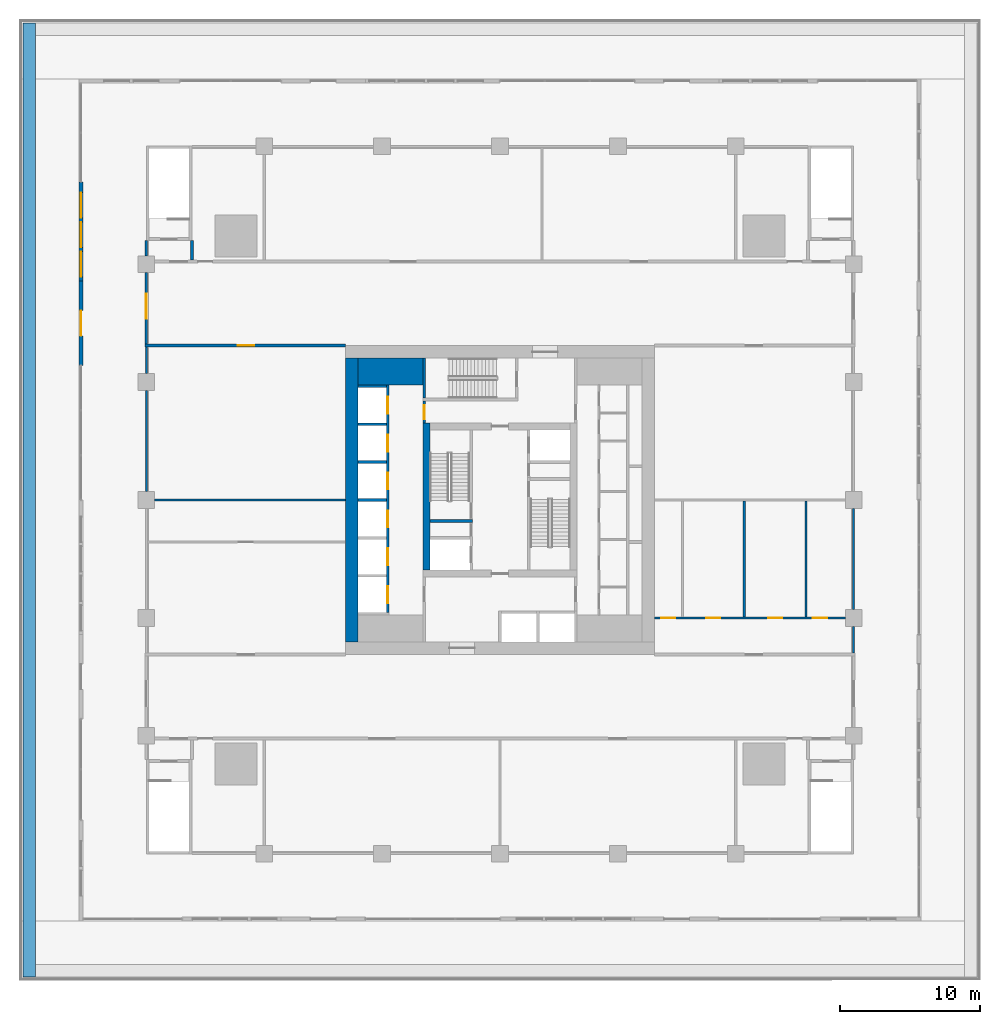
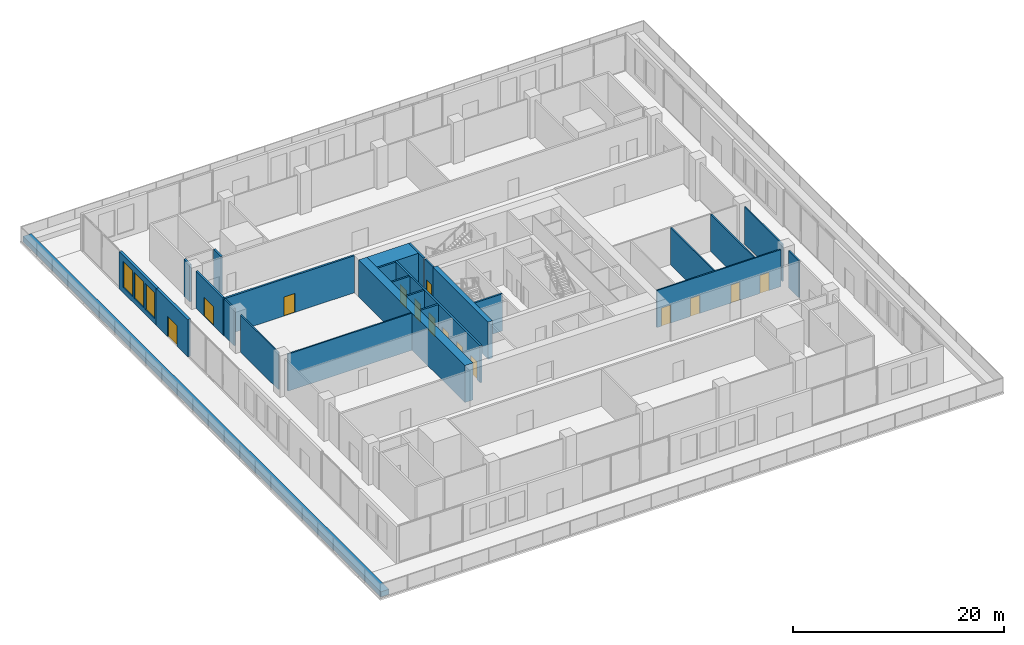
# One storey, part 14 of 22: 26 walls, 14 doors, 3 windows, 17 openings.
"""IFC4 building model written with IfcOpenShell, lengths in metres."""

from ifc_helpers import new_model, si_unit, direction, frame, frame_2d, origin, place, context, subcontext, project, spatial, rectangle, extrude, material, layer, layer_set, type_object, element, fill, save


model = new_model("IFC4")

# Units and contexts
model_context = context("Model", 3, precision=1e-05, world=origin(), true_north=direction((0.0, 1.0)))
body_context = subcontext(model_context, "Body", "Model", "MODEL_VIEW")
ifc_project = project(units=[si_unit("LENGTHUNIT", "METRE"), si_unit("AREAUNIT", "SQUARE_METRE"), si_unit("VOLUMEUNIT", "CUBIC_METRE"), si_unit("PLANEANGLEUNIT", "RADIAN"), si_unit("MASSUNIT", "GRAM", prefix="KILO")], contexts=[model_context])

# Site, building, storey
site_placement = place(None, origin())
site = spatial("IfcSite", under=ifc_project, at=site_placement, CompositionType="ELEMENT")
building_placement = place(site_placement, origin())
building = spatial("IfcBuilding", under=site, at=building_placement, Name="Khepri Terraces", CompositionType="ELEMENT")
storey_placement = place(building_placement, frame((0.0, 0.0, 22.199951171875)))
storey = spatial("IfcBuildingStorey", under=building, at=storey_placement, Name="L04", CompositionType="ELEMENT", Elevation=22.199951171875)

# Walls
ifc_material_1 = material(Name="Concrete C80/95", Category="concrete")
ifc_layer_1 = layer(ifc_material_1, 1.89990234375, Name="Concrete C80/95", Category="concrete")
ifc_layer_set_1 = layer_set([ifc_layer_1], Name="Concrete C80/95")
wall_type_1 = type_object("IfcWallType", Name="Core wall 1900 C80/95", PredefinedType="SHEAR", material=ifc_layer_set_1)
wall_1_placement = place(storey_placement, frame((-10.10009765625, 9.14990234375, 0.0), z_axis=(0.0, 0.0, 1.0), x_axis=(1.0, 0.0, 0.0)))
element("IfcWall", 1, at=wall_1_placement, inside=storey, type_object=wall_type_1, Name="Core wall PR03 L04", PredefinedType="SHEAR", context=body_context, shape_type="SweptSolid", body=[
    extrude(rectangle(XDim=4.60009765625, YDim=1.89990234375, at=frame_2d((2.300048828125, 0.0))), origin(), (0.0, 0.0, 1.0), 4.300048828125),
])
ifc_layer_2 = layer(ifc_material_1, 0.199951171875, Name="Concrete C80/95", Category="concrete")
ifc_layer_set_2 = layer_set([ifc_layer_2], Name="Concrete C80/95")
wall_type_2 = type_object("IfcWallType", Name="Core wall 200 C80/95", PredefinedType="SHEAR", material=ifc_layer_set_2)
wall_2_placement = place(storey_placement, frame((-5.0, -1.5, 0.0), z_axis=(0.0, 0.0, 1.0), x_axis=(1.0, 0.0, 0.0)))
element("IfcWall", 2, at=wall_2_placement, inside=storey, type_object=wall_type_2, Name="Core wall ST02 L04", PredefinedType="SHEAR", context=body_context, shape_type="SweptSolid", body=[
    extrude(rectangle(XDim=3.050048828125, YDim=0.199951171875, at=frame_2d((1.52490234375, 0.0))), origin(), (0.0, 0.0, 1.0), 4.300048828125),
])
wall_3_placement = place(storey_placement, frame((-5.39990234375, 7.25, 0.0), z_axis=(0.0, 0.0, 1.0), x_axis=(0.0, 1.0, 0.0)))
element("IfcWall", 3, at=wall_3_placement, inside=storey, type_object=wall_type_2, Name="Core wall ST06 L04", PredefinedType="SHEAR", context=body_context, shape_type="SweptSolid", body=[
    extrude(rectangle(XDim=2.85009765625, YDim=0.199951171875, at=frame_2d((1.425048828125, 0.0))), origin(), (0.0, 0.0, 1.0), 4.300048828125),
])

# Wall, openings, doors
wall_4_placement = place(storey_placement, frame((-8.0, -8.0, 0.0), z_axis=(0.0, 0.0, 1.0), x_axis=(0.0, 1.0, 0.0)))
wall_4 = element("IfcWall", 4, at=wall_4_placement, inside=storey, type_object=wall_type_2, Name="Core wall SH08 L04", PredefinedType="SHEAR", context=body_context, shape_type="SweptSolid", body=[
    extrude(rectangle(XDim=16.199951171875, YDim=0.199951171875, at=frame_2d((8.10009765625, 0.0))), origin(), (0.0, 0.0, 1.0), 4.300048828125),
])
opening_1_placement = place(wall_4_placement, frame((0.64990234375, 0.0, 0.0)))
opening_1 = element("IfcOpeningElement", 5, at=opening_1_placement, cuts=wall_4, Name="Opening L04-C01", PredefinedType="OPENING", context=body_context, shape_type="SweptSolid", body=[
    extrude(rectangle(XDim=1.199951171875, YDim=2.10009765625, at=frame_2d((0.60009765625, 1.050048828125))), frame((0.0, 0.10986328125, 0.0), z_axis=(0.0, -1.0, 0.0), x_axis=(1.0, 0.0, 0.0)), (0.0, 0.0, 1.0), 0.219970703125),
])
opening_2_placement = place(wall_4_placement, frame((3.35009765625, 0.0, 0.0)))
opening_2 = element("IfcOpeningElement", 6, at=opening_2_placement, cuts=wall_4, Name="Opening L04-C02", PredefinedType="OPENING", context=body_context, shape_type="SweptSolid", body=[
    extrude(rectangle(XDim=1.199951171875, YDim=2.10009765625, at=frame_2d((0.60009765625, 1.050048828125))), frame((0.0, 0.10986328125, 0.0), z_axis=(0.0, -1.0, 0.0), x_axis=(1.0, 0.0, 0.0)), (0.0, 0.0, 1.0), 0.219970703125),
])
opening_3_placement = place(wall_4_placement, frame((6.050048828125, 0.0, 0.0)))
opening_3 = element("IfcOpeningElement", 7, at=opening_3_placement, cuts=wall_4, Name="Opening L04-C03", PredefinedType="OPENING", context=body_context, shape_type="SweptSolid", body=[
    extrude(rectangle(XDim=1.199951171875, YDim=2.10009765625, at=frame_2d((0.60009765625, 1.050048828125))), frame((0.0, 0.10986328125, 0.0), z_axis=(0.0, -1.0, 0.0), x_axis=(1.0, 0.0, 0.0)), (0.0, 0.0, 1.0), 0.219970703125),
])
opening_4_placement = place(wall_4_placement, frame((8.75, 0.0, 0.0)))
opening_4 = element("IfcOpeningElement", 8, at=opening_4_placement, cuts=wall_4, Name="Opening L04-C04", PredefinedType="OPENING", context=body_context, shape_type="SweptSolid", body=[
    extrude(rectangle(XDim=1.199951171875, YDim=2.10009765625, at=frame_2d((0.60009765625, 1.050048828125))), frame((0.0, 0.10986328125, 0.0), z_axis=(0.0, -1.0, 0.0), x_axis=(1.0, 0.0, 0.0)), (0.0, 0.0, 1.0), 0.219970703125),
])
opening_5_placement = place(wall_4_placement, frame((11.449951171875, 0.0, 0.0)))
opening_5 = element("IfcOpeningElement", 9, at=opening_5_placement, cuts=wall_4, Name="Opening L04-C05", PredefinedType="OPENING", context=body_context, shape_type="SweptSolid", body=[
    extrude(rectangle(XDim=1.199951171875, YDim=2.10009765625, at=frame_2d((0.60009765625, 1.050048828125))), frame((0.0, 0.10986328125, 0.0), z_axis=(0.0, -1.0, 0.0), x_axis=(1.0, 0.0, 0.0)), (0.0, 0.0, 1.0), 0.219970703125),
])
opening_6_placement = place(wall_4_placement, frame((14.14990234375, 0.0, 0.0)))
opening_6 = element("IfcOpeningElement", 10, at=opening_6_placement, cuts=wall_4, Name="Opening L04-C06", PredefinedType="OPENING", context=body_context, shape_type="SweptSolid", body=[
    extrude(rectangle(XDim=1.199951171875, YDim=2.10009765625, at=frame_2d((0.60009765625, 1.050048828125))), frame((0.0, 0.10986328125, 0.0), z_axis=(0.0, -1.0, 0.0), x_axis=(1.0, 0.0, 0.0)), (0.0, 0.0, 1.0), 0.219970703125),
])
ifc_material_2 = material(Name="Stainless steel 304", Category="steel")
door_type_1 = type_object("IfcDoorType", Name="DR-CORE-LANDING-1200", OperationType="NOTDEFINED", PredefinedType="DOOR", material=ifc_material_2)
door_1_placement = place(opening_1_placement, origin())
door_1 = element("IfcDoor", 11, at=door_1_placement, inside=storey, type_object=door_type_1, Name="Lift landing door L04-C01", OperationType="SLIDING_TO_LEFT", OverallHeight=2.10009765625, OverallWidth=1.199951171875, PredefinedType="DOOR", context=body_context, shape_type="SweptSolid", body=[
    extrude(rectangle(XDim=1.199951171875, YDim=2.10009765625, at=frame_2d((0.60009765625, 1.050048828125))), frame((0.0, 0.02490234375, 0.0), z_axis=(0.0, -1.0, 0.0), x_axis=(1.0, 0.0, 0.0)), (0.0, 0.0, 1.0), 0.050048828125),
])
fill(opening_1, door_1)
door_2_placement = place(opening_2_placement, origin())
door_2 = element("IfcDoor", 12, at=door_2_placement, inside=storey, type_object=door_type_1, Name="Lift landing door L04-C02", OperationType="SLIDING_TO_LEFT", OverallHeight=2.10009765625, OverallWidth=1.199951171875, PredefinedType="DOOR", context=body_context, shape_type="SweptSolid", body=[
    extrude(rectangle(XDim=1.199951171875, YDim=2.10009765625, at=frame_2d((0.60009765625, 1.050048828125))), frame((0.0, 0.02490234375, 0.0), z_axis=(0.0, -1.0, 0.0), x_axis=(1.0, 0.0, 0.0)), (0.0, 0.0, 1.0), 0.050048828125),
])
fill(opening_2, door_2)
door_3_placement = place(opening_3_placement, origin())
door_3 = element("IfcDoor", 13, at=door_3_placement, inside=storey, type_object=door_type_1, Name="Lift landing door L04-C03", OperationType="SLIDING_TO_LEFT", OverallHeight=2.10009765625, OverallWidth=1.199951171875, PredefinedType="DOOR", context=body_context, shape_type="SweptSolid", body=[
    extrude(rectangle(XDim=1.199951171875, YDim=2.10009765625, at=frame_2d((0.60009765625, 1.050048828125))), frame((0.0, 0.02490234375, 0.0), z_axis=(0.0, -1.0, 0.0), x_axis=(1.0, 0.0, 0.0)), (0.0, 0.0, 1.0), 0.050048828125),
])
fill(opening_3, door_3)
door_4_placement = place(opening_4_placement, origin())
door_4 = element("IfcDoor", 14, at=door_4_placement, inside=storey, type_object=door_type_1, Name="Lift landing door L04-C04", OperationType="SLIDING_TO_LEFT", OverallHeight=2.10009765625, OverallWidth=1.199951171875, PredefinedType="DOOR", context=body_context, shape_type="SweptSolid", body=[
    extrude(rectangle(XDim=1.199951171875, YDim=2.10009765625, at=frame_2d((0.60009765625, 1.050048828125))), frame((0.0, 0.02490234375, 0.0), z_axis=(0.0, -1.0, 0.0), x_axis=(1.0, 0.0, 0.0)), (0.0, 0.0, 1.0), 0.050048828125),
])
fill(opening_4, door_4)
door_5_placement = place(opening_5_placement, origin())
door_5 = element("IfcDoor", 15, at=door_5_placement, inside=storey, type_object=door_type_1, Name="Lift landing door L04-C05", OperationType="SLIDING_TO_LEFT", OverallHeight=2.10009765625, OverallWidth=1.199951171875, PredefinedType="DOOR", context=body_context, shape_type="SweptSolid", body=[
    extrude(rectangle(XDim=1.199951171875, YDim=2.10009765625, at=frame_2d((0.60009765625, 1.050048828125))), frame((0.0, 0.02490234375, 0.0), z_axis=(0.0, -1.0, 0.0), x_axis=(1.0, 0.0, 0.0)), (0.0, 0.0, 1.0), 0.050048828125),
])
fill(opening_5, door_5)
door_6_placement = place(opening_6_placement, origin())
door_6 = element("IfcDoor", 16, at=door_6_placement, inside=storey, type_object=door_type_1, Name="Lift landing door L04-C06", OperationType="SLIDING_TO_LEFT", OverallHeight=2.10009765625, OverallWidth=1.199951171875, PredefinedType="DOOR", context=body_context, shape_type="SweptSolid", body=[
    extrude(rectangle(XDim=1.199951171875, YDim=2.10009765625, at=frame_2d((0.60009765625, 1.050048828125))), frame((0.0, 0.02490234375, 0.0), z_axis=(0.0, -1.0, 0.0), x_axis=(1.0, 0.0, 0.0)), (0.0, 0.0, 1.0), 0.050048828125),
])
fill(opening_6, door_6)

# Walls
for number, where, z_axis, x_axis, name in (
    (17, (-10.10009765625, 0.0, 0.0), (0.0, 0.0, 1.0), (1.0, 0.0, 0.0), "Core wall SH14 L04"),
    (18, (-10.10009765625, 2.699951171875, 0.0), (0.0, 0.0, 1.0), (1.0, 0.0, 0.0), "Core wall SH17 L04"),
    (19, (-10.10009765625, 5.39990234375, 0.0), (0.0, 0.0, 1.0), (1.0, 0.0, 0.0), "Core wall SH19 L04"),
    (20, (-10.10009765625, 8.10009765625, 0.0), (0.0, 0.0, 1.0), (1.0, 0.0, 0.0), "Core wall SH20 L04"),
):
    element("IfcWall", number, at=place(storey_placement, frame(where, z_axis=z_axis, x_axis=x_axis)), inside=storey, type_object=wall_type_2, Name=name, PredefinedType="SHEAR", context=body_context, shape_type="SweptSolid", body=[
        extrude(rectangle(XDim=2.0, YDim=0.199951171875, at=frame_2d((1.0, 0.0))), origin(), (0.0, 0.0, 1.0), 4.300048828125),
    ])
ifc_layer_3 = layer(ifc_material_1, 0.5, Name="Concrete C80/95", Category="concrete")
ifc_layer_set_3 = layer_set([ifc_layer_3], Name="Concrete C80/95")
wall_type_3 = type_object("IfcWallType", Name="Core wall 500 C80/95", PredefinedType="SHEAR", material=ifc_layer_set_3)
wall_5_placement = place(storey_placement, frame((-5.25, -5.0, 0.0), z_axis=(0.0, 0.0, 1.0), x_axis=(0.0, 1.0, 0.0)))
element("IfcWall", 21, at=wall_5_placement, inside=storey, type_object=wall_type_3, Name="Core wall BX02 L04", PredefinedType="SHEAR", context=body_context, shape_type="SweptSolid", body=[
    extrude(rectangle(XDim=10.5, YDim=0.5, at=frame_2d((5.25, 0.0))), origin(), (0.0, 0.0, 1.0), 4.300048828125),
])
ifc_layer_4 = layer(ifc_material_1, 0.89990234375, Name="Concrete C80/95", Category="concrete")
ifc_layer_set_4 = layer_set([ifc_layer_4], Name="Concrete C80/95")
wall_type_4 = type_object("IfcWallType", Name="Core wall 900 C80/95", PredefinedType="SHEAR", material=ifc_layer_set_4)
wall_6_placement = place(storey_placement, frame((-10.550048828125, -10.10009765625, 0.0), z_axis=(0.0, 0.0, 1.0), x_axis=(0.0, 1.0, 0.0)))
element("IfcWall", 22, at=wall_6_placement, inside=storey, type_object=wall_type_4, Name="Core wall OW-W L04", PredefinedType="SHEAR", context=body_context, shape_type="SweptSolid", body=[
    extrude(rectangle(XDim=20.2001953125, YDim=0.89990234375, at=frame_2d((10.10009765625, 0.0))), origin(), (0.0, 0.0, 1.0), 4.300048828125),
])

# Wall, opening, door
ifc_material_3 = material(Name="Fire-rated gypsum board partition")
ifc_layer_5 = layer(ifc_material_3, 0.199951171875, Name="Fire-rated gypsum board partition")
ifc_layer_set_5 = layer_set([ifc_layer_5], Name="Fire-rated gypsum board partition")
wall_type_5 = type_object("IfcWallType", Name="WL-CORE-PART-200", PredefinedType="PARTITIONING", material=ifc_layer_set_5)
wall_7_placement = place(storey_placement, frame((-5.39990234375, 5.5, 0.0), z_axis=(0.0, 0.0, 1.0), x_axis=(0.0, 1.0, 0.0)))
wall_7 = element("IfcWall", 23, at=wall_7_placement, inside=storey, type_object=wall_type_5, Name="Core partition PT08 L04", PredefinedType="PARTITIONING", context=body_context, shape_type="SweptSolid", body=[
    extrude(rectangle(XDim=1.550048828125, YDim=0.199951171875, at=frame_2d((0.77490234375, 0.0))), origin(), (0.0, 0.0, 1.0), 4.300048828125),
])
opening_7_placement = place(wall_7_placement, frame((0.25, 0.0, 0.0)))
opening_7 = element("IfcOpeningElement", 24, at=opening_7_placement, cuts=wall_7, Name="Opening L04-C16", PredefinedType="OPENING", context=body_context, shape_type="SweptSolid", body=[
    extrude(rectangle(XDim=1.0, YDim=2.10009765625, at=frame_2d((0.5, 1.050048828125))), frame((0.0, 0.10986328125, 0.0), z_axis=(0.0, -1.0, 0.0), x_axis=(1.0, 0.0, 0.0)), (0.0, 0.0, 1.0), 0.219970703125),
])
ifc_material_4 = material(Name="Painted steel", Category="steel")
door_type_2 = type_object("IfcDoorType", Name="DR-CORE-LOBBY-1000", OperationType="NOTDEFINED", PredefinedType="DOOR", material=ifc_material_4)
door_7_placement = place(opening_7_placement, frame((1.0, 0.0, 0.0), z_axis=(0.0, 0.0, 1.0), x_axis=(-1.0, 0.0, 0.0)))
door_7 = element("IfcDoor", 25, at=door_7_placement, inside=storey, type_object=door_type_2, Name="Lobby door L04-C16", OperationType="SINGLE_SWING_RIGHT", OverallHeight=2.10009765625, OverallWidth=1.0, PredefinedType="DOOR", context=body_context, shape_type="SweptSolid", body=[
    extrude(rectangle(XDim=1.0, YDim=2.10009765625, at=frame_2d((0.5, 1.050048828125))), frame((0.0, 0.02490234375, 0.0), z_axis=(0.0, -1.0, 0.0), x_axis=(1.0, 0.0, 0.0)), (0.0, 0.0, 1.0), 0.050048828125),
])
fill(opening_7, door_7)

# Wall, openings, windows
ifc_material_5 = material(Name="Precast concrete C50/60 warm stone", Category="masonry")
ifc_layer_6 = layer(ifc_material_5, 0.300048828125, Name="Precast concrete C50/60 warm stone", Category="masonry")
ifc_layer_set_6 = layer_set([ifc_layer_6], Name="Precast concrete C50/60 warm stone")
wall_type_6 = type_object("IfcWallType", Name="WL-EXT-PRECAST-300", PredefinedType="STANDARD", material=ifc_layer_set_6)
wall_8_placement = place(storey_placement, frame((-29.85009765625, 22.64990234375, 0.0), z_axis=(0.0, 0.0, 1.0), x_axis=(0.0, -1.0, 0.0)))
wall_8 = element("IfcWall", 26, at=wall_8_placement, inside=storey, type_object=wall_type_6, Name="External wall L04 W", PredefinedType="STANDARD", context=body_context, shape_type="SweptSolid", body=[
    extrude(rectangle(XDim=7.0498046875, YDim=0.300048828125, at=frame_2d((3.52490234375, 0.0))), origin(), (0.0, 0.0, 1.0), 4.300048828125),
])
opening_8_placement = place(wall_8_placement, frame((0.75, 0.0, 0.60009765625)))
opening_8 = element("IfcOpeningElement", 27, at=opening_8_placement, cuts=wall_8, Name="Opening WP1", PredefinedType="OPENING", context=body_context, shape_type="SweptSolid", body=[
    extrude(rectangle(XDim=1.800048828125, YDim=3.0, at=frame_2d((0.89990234375, 1.5))), frame((0.0, 0.16015625, 0.0), z_axis=(0.0, -1.0, 0.0), x_axis=(1.0, 0.0, 0.0)), (0.0, 0.0, 1.0), 0.320068359375),
])
opening_9_placement = place(wall_8_placement, frame((2.85009765625, 0.0, 0.60009765625)))
opening_9 = element("IfcOpeningElement", 28, at=opening_9_placement, cuts=wall_8, Name="Opening WP1", PredefinedType="OPENING", context=body_context, shape_type="SweptSolid", body=[
    extrude(rectangle(XDim=1.800048828125, YDim=3.0, at=frame_2d((0.89990234375, 1.5))), frame((0.0, 0.16015625, 0.0), z_axis=(0.0, -1.0, 0.0), x_axis=(1.0, 0.0, 0.0)), (0.0, 0.0, 1.0), 0.320068359375),
])
opening_10_placement = place(wall_8_placement, frame((4.949951171875, 0.0, 0.60009765625)))
opening_10 = element("IfcOpeningElement", 29, at=opening_10_placement, cuts=wall_8, Name="Opening WP1", PredefinedType="OPENING", context=body_context, shape_type="SweptSolid", body=[
    extrude(rectangle(XDim=1.800048828125, YDim=3.0, at=frame_2d((0.89990234375, 1.5))), frame((0.0, 0.16015625, 0.0), z_axis=(0.0, -1.0, 0.0), x_axis=(1.0, 0.0, 0.0)), (0.0, 0.0, 1.0), 0.320068359375),
])
ifc_material_6 = material(Name="Clear glass", Category="glass")
window_type = type_object("IfcWindowType", Name="WIN-POD-1800x3000", PartitioningType="SINGLE_PANEL", PredefinedType="WINDOW", material=ifc_material_6)
window_1_placement = place(opening_8_placement, origin())
window_1 = element("IfcWindow", 30, at=window_1_placement, inside=storey, type_object=window_type, Name="Window L04 W", OverallHeight=3.0, OverallWidth=1.800048828125, PartitioningType="SINGLE_PANEL", PredefinedType="WINDOW", context=body_context, shape_type="SweptSolid", body=[
    extrude(rectangle(XDim=1.800048828125, YDim=3.0, at=frame_2d((0.89990234375, 1.5))), frame((0.0, 0.030029296875, 0.0), z_axis=(0.0, -1.0, 0.0), x_axis=(1.0, 0.0, 0.0)), (0.0, 0.0, 1.0), 0.06005859375),
])
fill(opening_8, window_1)
window_2_placement = place(opening_9_placement, origin())
window_2 = element("IfcWindow", 31, at=window_2_placement, inside=storey, type_object=window_type, Name="Window L04 W", OverallHeight=3.0, OverallWidth=1.800048828125, PartitioningType="SINGLE_PANEL", PredefinedType="WINDOW", context=body_context, shape_type="SweptSolid", body=[
    extrude(rectangle(XDim=1.800048828125, YDim=3.0, at=frame_2d((0.89990234375, 1.5))), frame((0.0, 0.030029296875, 0.0), z_axis=(0.0, -1.0, 0.0), x_axis=(1.0, 0.0, 0.0)), (0.0, 0.0, 1.0), 0.06005859375),
])
fill(opening_9, window_2)
window_3_placement = place(opening_10_placement, origin())
window_3 = element("IfcWindow", 32, at=window_3_placement, inside=storey, type_object=window_type, Name="Window L04 W", OverallHeight=3.0, OverallWidth=1.800048828125, PartitioningType="SINGLE_PANEL", PredefinedType="WINDOW", context=body_context, shape_type="SweptSolid", body=[
    extrude(rectangle(XDim=1.800048828125, YDim=3.0, at=frame_2d((0.89990234375, 1.5))), frame((0.0, 0.030029296875, 0.0), z_axis=(0.0, -1.0, 0.0), x_axis=(1.0, 0.0, 0.0)), (0.0, 0.0, 1.0), 0.06005859375),
])
fill(opening_10, window_3)

# Wall, opening, door
wall_9_placement = place(storey_placement, frame((-29.85009765625, 15.60009765625, 0.0), z_axis=(0.0, 0.0, 1.0), x_axis=(0.0, -1.0, 0.0)))
wall_9 = element("IfcWall", 33, at=wall_9_placement, inside=storey, type_object=wall_type_6, Name="External wall L04 W", PredefinedType="STANDARD", context=body_context, shape_type="SweptSolid", body=[
    extrude(rectangle(XDim=6.0, YDim=0.300048828125, at=frame_2d((3.0, 0.0))), origin(), (0.0, 0.0, 1.0), 4.300048828125),
])
opening_11_placement = place(wall_9_placement, frame((2.10009765625, 0.0, 0.0)))
opening_11 = element("IfcOpeningElement", 34, at=opening_11_placement, cuts=wall_9, Name="Opening ED-L04-07", PredefinedType="OPENING", context=body_context, shape_type="SweptSolid", body=[
    extrude(rectangle(XDim=1.800048828125, YDim=2.39990234375, at=frame_2d((0.89990234375, 1.199951171875))), frame((0.0, 0.16015625, 0.0), z_axis=(0.0, -1.0, 0.0), x_axis=(1.0, 0.0, 0.0)), (0.0, 0.0, 1.0), 0.320068359375),
])
ifc_material_7 = material(Name="Anodised aluminium bronze glazed door", Category="aluminium")
door_type_3 = type_object("IfcDoorType", Name="DR-BAL-SLIDE-1800x2400", OperationType="NOTDEFINED", PredefinedType="DOOR", material=ifc_material_7)
door_8_placement = place(opening_11_placement, origin())
door_8 = element("IfcDoor", 35, at=door_8_placement, inside=storey, type_object=door_type_3, Name="Balcony door L04 W", OperationType="SLIDING_TO_RIGHT", OverallHeight=2.39990234375, OverallWidth=1.800048828125, PredefinedType="DOOR", context=body_context, shape_type="SweptSolid", body=[
    extrude(rectangle(XDim=1.800048828125, YDim=2.39990234375, at=frame_2d((0.89990234375, 1.199951171875))), frame((0.0, 0.02490234375, 0.0), z_axis=(0.0, -1.0, 0.0), x_axis=(1.0, 0.0, 0.0)), (0.0, 0.0, 1.0), 0.050048828125),
])
fill(opening_11, door_8)

# Wall
ifc_layer_7 = layer(ifc_material_5, 0.89990234375, Name="Precast concrete C50/60 warm stone", Category="masonry")
ifc_layer_set_7 = layer_set([ifc_layer_7], Name="Precast concrete C50/60 warm stone")
wall_type_7 = type_object("IfcWallType", Name="WL-PLANTER-900", PredefinedType="MOVABLE", material=ifc_layer_set_7)
wall_10_placement = place(storey_placement, frame((-33.550048828125, -34.0, 0.0), z_axis=(0.0, 0.0, 1.0), x_axis=(0.0, 1.0, 0.0)))
element("IfcWall", 36, at=wall_10_placement, inside=storey, type_object=wall_type_7, Name="Planter L04", PredefinedType="MOVABLE", context=body_context, shape_type="SweptSolid", body=[
    extrude(rectangle(XDim=68.0, YDim=0.89990234375, at=frame_2d((34.0, 0.0))), origin(), (0.0, 0.0, 1.0), 0.60009765625),
])

# Wall, openings, doors
ifc_material_8 = material(Name="Gypsum board partition")
ifc_layer_8 = layer(ifc_material_8, 0.14990234375, Name="Gypsum board partition")
ifc_layer_set_8 = layer_set([ifc_layer_8], Name="Gypsum board partition")
wall_type_8 = type_object("IfcWallType", Name="WL-POD-150", PredefinedType="PARTITIONING", material=ifc_layer_set_8)
wall_11_placement = place(storey_placement, frame((11.0, -8.39990234375, 0.0), z_axis=(0.0, 0.0, 1.0), x_axis=(1.0, 0.0, 0.0)))
wall_11 = element("IfcWall", 37, at=wall_11_placement, inside=storey, type_object=wall_type_8, Name="Partition L04-PW010", PredefinedType="PARTITIONING", context=body_context, shape_type="SweptSolid", body=[
    extrude(rectangle(XDim=13.60009765625, YDim=0.14990234375, at=frame_2d((6.800048828125, 0.0))), origin(), (0.0, 0.0, 1.0), 4.300048828125),
])
opening_12_placement = place(wall_11_placement, frame((0.5, 0.0, 0.0)))
opening_12 = element("IfcOpeningElement", 38, at=opening_12_placement, cuts=wall_11, Name="Opening L04-P11", PredefinedType="OPENING", context=body_context, shape_type="SweptSolid", body=[
    extrude(rectangle(XDim=1.0, YDim=2.10009765625, at=frame_2d((0.5, 1.050048828125))), frame((0.0, 0.0849609375, 0.0), z_axis=(0.0, -1.0, 0.0), x_axis=(1.0, 0.0, 0.0)), (0.0, 0.0, 1.0), 0.169921875),
])
opening_13_placement = place(wall_11_placement, frame((3.699951171875, 0.0, 0.0)))
opening_13 = element("IfcOpeningElement", 39, at=opening_13_placement, cuts=wall_11, Name="Opening L04-P12", PredefinedType="OPENING", context=body_context, shape_type="SweptSolid", body=[
    extrude(rectangle(XDim=1.0, YDim=2.10009765625, at=frame_2d((0.5, 1.050048828125))), frame((0.0, 0.0849609375, 0.0), z_axis=(0.0, -1.0, 0.0), x_axis=(1.0, 0.0, 0.0)), (0.0, 0.0, 1.0), 0.169921875),
])
opening_14_placement = place(wall_11_placement, frame((8.10009765625, 0.0, 0.0)))
opening_14 = element("IfcOpeningElement", 40, at=opening_14_placement, cuts=wall_11, Name="Opening L04-P13", PredefinedType="OPENING", context=body_context, shape_type="SweptSolid", body=[
    extrude(rectangle(XDim=1.0, YDim=2.10009765625, at=frame_2d((0.5, 1.050048828125))), frame((0.0, 0.0849609375, 0.0), z_axis=(0.0, -1.0, 0.0), x_axis=(1.0, 0.0, 0.0)), (0.0, 0.0, 1.0), 0.169921875),
])
opening_15_placement = place(wall_11_placement, frame((11.300048828125, 0.0, 0.0)))
opening_15 = element("IfcOpeningElement", 41, at=opening_15_placement, cuts=wall_11, Name="Opening L04-P14", PredefinedType="OPENING", context=body_context, shape_type="SweptSolid", body=[
    extrude(rectangle(XDim=1.0, YDim=2.10009765625, at=frame_2d((0.5, 1.050048828125))), frame((0.0, 0.0849609375, 0.0), z_axis=(0.0, -1.0, 0.0), x_axis=(1.0, 0.0, 0.0)), (0.0, 0.0, 1.0), 0.169921875),
])
ifc_material_9 = material(Name="Timber veneer", Category="wood")
door_type_4 = type_object("IfcDoorType", Name="DR-POD-SINGLE-1000", OperationType="NOTDEFINED", PredefinedType="DOOR", material=ifc_material_9)
door_9_placement = place(opening_12_placement, origin())
door_9 = element("IfcDoor", 42, at=door_9_placement, inside=storey, type_object=door_type_4, Name="Door L04-P11", OperationType="SINGLE_SWING_LEFT", OverallHeight=2.10009765625, OverallWidth=1.0, PredefinedType="DOOR", context=body_context, shape_type="SweptSolid", body=[
    extrude(rectangle(XDim=1.0, YDim=2.10009765625, at=frame_2d((0.5, 1.050048828125))), frame((0.0, 0.02490234375, 0.0), z_axis=(0.0, -1.0, 0.0), x_axis=(1.0, 0.0, 0.0)), (0.0, 0.0, 1.0), 0.050048828125),
])
fill(opening_12, door_9)
door_10_placement = place(opening_13_placement, origin())
door_10 = element("IfcDoor", 43, at=door_10_placement, inside=storey, type_object=door_type_4, Name="Door L04-P12", OperationType="SINGLE_SWING_LEFT", OverallHeight=2.10009765625, OverallWidth=1.0, PredefinedType="DOOR", context=body_context, shape_type="SweptSolid", body=[
    extrude(rectangle(XDim=1.0, YDim=2.10009765625, at=frame_2d((0.5, 1.050048828125))), frame((0.0, 0.02490234375, 0.0), z_axis=(0.0, -1.0, 0.0), x_axis=(1.0, 0.0, 0.0)), (0.0, 0.0, 1.0), 0.050048828125),
])
fill(opening_13, door_10)
door_11_placement = place(opening_14_placement, origin())
door_11 = element("IfcDoor", 44, at=door_11_placement, inside=storey, type_object=door_type_4, Name="Door L04-P13", OperationType="SINGLE_SWING_RIGHT", OverallHeight=2.10009765625, OverallWidth=1.0, PredefinedType="DOOR", context=body_context, shape_type="SweptSolid", body=[
    extrude(rectangle(XDim=1.0, YDim=2.10009765625, at=frame_2d((0.5, 1.050048828125))), frame((0.0, 0.02490234375, 0.0), z_axis=(0.0, -1.0, 0.0), x_axis=(1.0, 0.0, 0.0)), (0.0, 0.0, 1.0), 0.050048828125),
])
fill(opening_14, door_11)
door_12_placement = place(opening_15_placement, origin())
door_12 = element("IfcDoor", 45, at=door_12_placement, inside=storey, type_object=door_type_4, Name="Door L04-P14", OperationType="SINGLE_SWING_RIGHT", OverallHeight=2.10009765625, OverallWidth=1.0, PredefinedType="DOOR", context=body_context, shape_type="SweptSolid", body=[
    extrude(rectangle(XDim=1.0, YDim=2.10009765625, at=frame_2d((0.5, 1.050048828125))), frame((0.0, 0.02490234375, 0.0), z_axis=(0.0, -1.0, 0.0), x_axis=(1.0, 0.0, 0.0)), (0.0, 0.0, 1.0), 0.050048828125),
])
fill(opening_15, door_12)

# Walls
wall_12_placement = place(storey_placement, frame((-24.60009765625, 0.0, 0.0), z_axis=(0.0, 0.0, 1.0), x_axis=(1.0, 0.0, 0.0)))
element("IfcWall", 46, at=wall_12_placement, inside=storey, type_object=wall_type_8, Name="Partition L04-PW012", PredefinedType="PARTITIONING", context=body_context, shape_type="SweptSolid", body=[
    extrude(rectangle(XDim=13.60009765625, YDim=0.14990234375, at=frame_2d((6.800048828125, 0.0))), origin(), (0.0, 0.0, 1.0), 4.300048828125),
])
wall_13_placement = place(storey_placement, frame((-25.199951171875, 0.60009765625, 0.0), z_axis=(0.0, 0.0, 1.0), x_axis=(0.0, 1.0, 0.0)))
element("IfcWall", 47, at=wall_13_placement, inside=storey, type_object=wall_type_8, Name="Partition L04-PW027", PredefinedType="PARTITIONING", context=body_context, shape_type="SweptSolid", body=[
    extrude(rectangle(XDim=7.199951171875, YDim=0.14990234375, at=frame_2d((3.60009765625, 0.0))), origin(), (0.0, 0.0, 1.0), 4.300048828125),
])
wall_14_placement = place(storey_placement, frame((-25.199951171875, 9.0, 0.0), z_axis=(0.0, 0.0, 1.0), x_axis=(0.0, 1.0, 0.0)))
element("IfcWall", 48, at=wall_14_placement, inside=storey, type_object=wall_type_8, Name="Partition L04-PW028", PredefinedType="PARTITIONING", context=body_context, shape_type="SweptSolid", body=[
    extrude(rectangle(XDim=1.89990234375, YDim=0.14990234375, at=frame_2d((0.949951171875, 0.0))), origin(), (0.0, 0.0, 1.0), 4.300048828125),
])
for number, where, z_axis, x_axis, name in (
    (49, (17.39990234375, -8.324951171875, 0.0), (0.0, 0.0, 1.0), (0.0, 1.0, 0.0), "Partition L04-PW040"),
    (50, (21.800048828125, -8.324951171875, 0.0), (0.0, 0.0, 1.0), (0.0, 1.0, 0.0), "Partition L04-PW041"),
):
    element("IfcWall", number, at=place(storey_placement, frame(where, z_axis=z_axis, x_axis=x_axis)), inside=storey, type_object=wall_type_8, Name=name, PredefinedType="PARTITIONING", context=body_context, shape_type="SweptSolid", body=[
        extrude(rectangle(XDim=8.25, YDim=0.14990234375, at=frame_2d((4.125, 0.0))), origin(), (0.0, 0.0, 1.0), 4.300048828125),
    ])
wall_15_placement = place(storey_placement, frame((25.199951171875, -10.89990234375, 0.0), z_axis=(0.0, 0.0, 1.0), x_axis=(0.0, 1.0, 0.0)))
element("IfcWall", 51, at=wall_15_placement, inside=storey, type_object=wall_type_8, Name="Partition L04-PW046", PredefinedType="PARTITIONING", context=body_context, shape_type="SweptSolid", body=[
    extrude(rectangle(XDim=1.89990234375, YDim=0.14990234375, at=frame_2d((0.949951171875, 0.0))), origin(), (0.0, 0.0, 1.0), 4.300048828125),
])
wall_16_placement = place(storey_placement, frame((25.199951171875, -7.800048828125, 0.0), z_axis=(0.0, 0.0, 1.0), x_axis=(0.0, 1.0, 0.0)))
element("IfcWall", 52, at=wall_16_placement, inside=storey, type_object=wall_type_8, Name="Partition L04-PW047", PredefinedType="PARTITIONING", context=body_context, shape_type="SweptSolid", body=[
    extrude(rectangle(XDim=7.199951171875, YDim=0.14990234375, at=frame_2d((3.60009765625, 0.0))), origin(), (0.0, 0.0, 1.0), 4.300048828125),
])

# Wall, opening, door
ifc_material_10 = material(Name="Fire-rated block wall")
ifc_layer_9 = layer(ifc_material_10, 0.199951171875, Name="Fire-rated block wall")
ifc_layer_set_9 = layer_set([ifc_layer_9], Name="Fire-rated block wall")
wall_type_9 = type_object("IfcWallType", Name="WL-POD-200-EI60", PredefinedType="PARTITIONING", material=ifc_layer_set_9)
wall_17_placement = place(storey_placement, frame((-25.300048828125, 11.0, 0.0), z_axis=(0.0, 0.0, 1.0), x_axis=(1.0, 0.0, 0.0)))
wall_17 = element("IfcWall", 53, at=wall_17_placement, inside=storey, type_object=wall_type_9, Name="Partition L04-PW014", PredefinedType="PARTITIONING", context=body_context, shape_type="SweptSolid", body=[
    extrude(rectangle(XDim=14.300048828125, YDim=0.199951171875, at=frame_2d((7.14990234375, 0.0))), origin(), (0.0, 0.0, 1.0), 4.300048828125),
])
opening_16_placement = place(wall_17_placement, frame((6.60009765625, 0.0, 0.0)))
opening_16 = element("IfcOpeningElement", 54, at=opening_16_placement, cuts=wall_17, Name="Opening L04-P16", PredefinedType="OPENING", context=body_context, shape_type="SweptSolid", body=[
    extrude(rectangle(XDim=1.199951171875, YDim=2.199951171875, at=frame_2d((0.60009765625, 1.10009765625))), frame((0.0, 0.10986328125, 0.0), z_axis=(0.0, -1.0, 0.0), x_axis=(1.0, 0.0, 0.0)), (0.0, 0.0, 1.0), 0.219970703125),
])
door_type_5 = type_object("IfcDoorType", Name="DR-POD-SINGLE-1200", OperationType="NOTDEFINED", PredefinedType="DOOR", material=ifc_material_9)
door_13_placement = place(opening_16_placement, origin())
door_13 = element("IfcDoor", 55, at=door_13_placement, inside=storey, type_object=door_type_5, Name="Door L04-P16", OperationType="SINGLE_SWING_LEFT", OverallHeight=2.199951171875, OverallWidth=1.199951171875, PredefinedType="DOOR", context=body_context, shape_type="SweptSolid", body=[
    extrude(rectangle(XDim=1.199951171875, YDim=2.199951171875, at=frame_2d((0.60009765625, 1.10009765625))), frame((0.0, 0.02490234375, 0.0), z_axis=(0.0, -1.0, 0.0), x_axis=(1.0, 0.0, 0.0)), (0.0, 0.0, 1.0), 0.050048828125),
])
fill(opening_16, door_13)

wall_18_placement = place(storey_placement, frame((-25.199951171875, 11.10009765625, 0.0), z_axis=(0.0, 0.0, 1.0), x_axis=(0.0, 1.0, 0.0)))
wall_18 = element("IfcWall", 56, at=wall_18_placement, inside=storey, type_object=wall_type_9, Name="Partition L04-PW029", PredefinedType="PARTITIONING", context=body_context, shape_type="SweptSolid", body=[
    extrude(rectangle(XDim=5.099853515625, YDim=0.199951171875, at=frame_2d((2.5498046875, 0.0))), origin(), (0.0, 0.0, 1.0), 4.300048828125),
])
opening_17_placement = place(wall_18_placement, frame((1.800048828125, 0.0, 0.0)))
opening_17 = element("IfcOpeningElement", 57, at=opening_17_placement, cuts=wall_18, Name="Opening L04-P18", PredefinedType="OPENING", context=body_context, shape_type="SweptSolid", body=[
    extrude(rectangle(XDim=1.800048828125, YDim=2.199951171875, at=frame_2d((0.89990234375, 1.10009765625))), frame((0.0, 0.10986328125, 0.0), z_axis=(0.0, -1.0, 0.0), x_axis=(1.0, 0.0, 0.0)), (0.0, 0.0, 1.0), 0.219970703125),
])
door_type_6 = type_object("IfcDoorType", Name="DR-POD-FIRE-PAIR-1800", OperationType="DOUBLE_DOOR_SINGLE_SWING", PredefinedType="DOOR", material=ifc_material_4)
door_14_placement = place(opening_17_placement, origin())
door_14 = element("IfcDoor", 58, at=door_14_placement, inside=storey, type_object=door_type_6, Name="Fire door pair L04-P18", OperationType="DOUBLE_DOOR_SINGLE_SWING", OverallHeight=2.199951171875, OverallWidth=1.800048828125, PredefinedType="DOOR", context=body_context, shape_type="SweptSolid", body=[
    extrude(rectangle(XDim=1.800048828125, YDim=2.199951171875, at=frame_2d((0.89990234375, 1.10009765625))), frame((0.0, 0.02490234375, 0.0), z_axis=(0.0, -1.0, 0.0), x_axis=(1.0, 0.0, 0.0)), (0.0, 0.0, 1.0), 0.050048828125),
])
fill(opening_17, door_14)

# Walls
wall_19_placement = place(storey_placement, frame((-25.199951171875, 17.39990234375, 0.0), z_axis=(0.0, 0.0, 1.0), x_axis=(0.0, 1.0, 0.0)))
element("IfcWall", 59, at=wall_19_placement, inside=storey, type_object=wall_type_9, Name="Partition L04-PW030", PredefinedType="PARTITIONING", context=body_context, shape_type="SweptSolid", body=[
    extrude(rectangle(XDim=1.10009765625, YDim=0.199951171875, at=frame_2d((0.550048828125, 0.0))), origin(), (0.0, 0.0, 1.0), 4.300048828125),
])
wall_20_placement = place(storey_placement, frame((-21.949951171875, 17.10009765625, 0.0), z_axis=(0.0, 0.0, 1.0), x_axis=(0.0, 1.0, 0.0)))
element("IfcWall", 60, at=wall_20_placement, inside=storey, type_object=wall_type_9, Name="Partition L04-PW032", PredefinedType="PARTITIONING", context=body_context, shape_type="SweptSolid", body=[
    extrude(rectangle(XDim=1.39990234375, YDim=0.199951171875, at=frame_2d((0.699951171875, 0.0))), origin(), (0.0, 0.0, 1.0), 4.300048828125),
])

save(model, "model.ifc")
